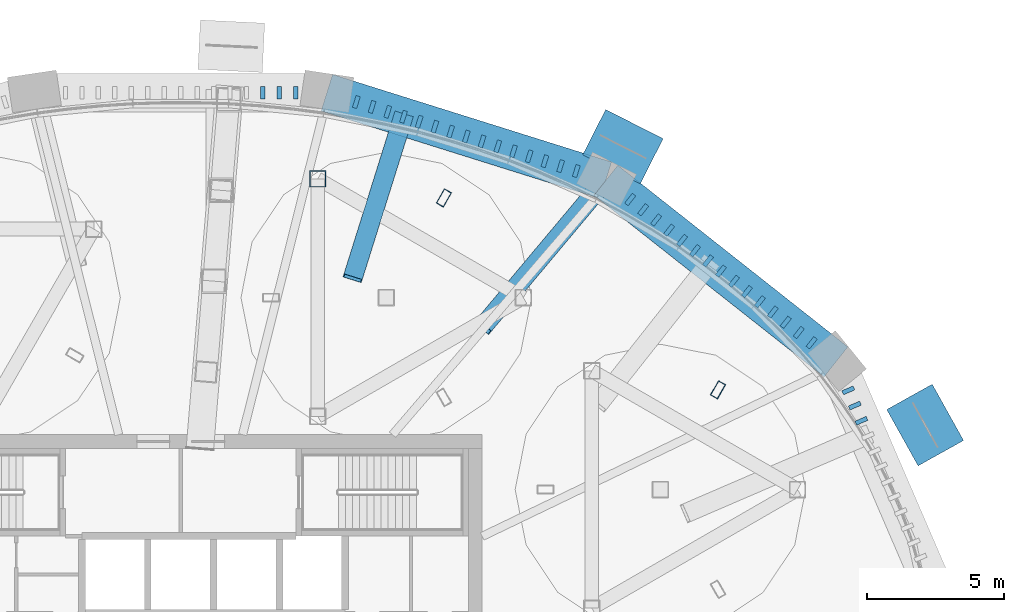
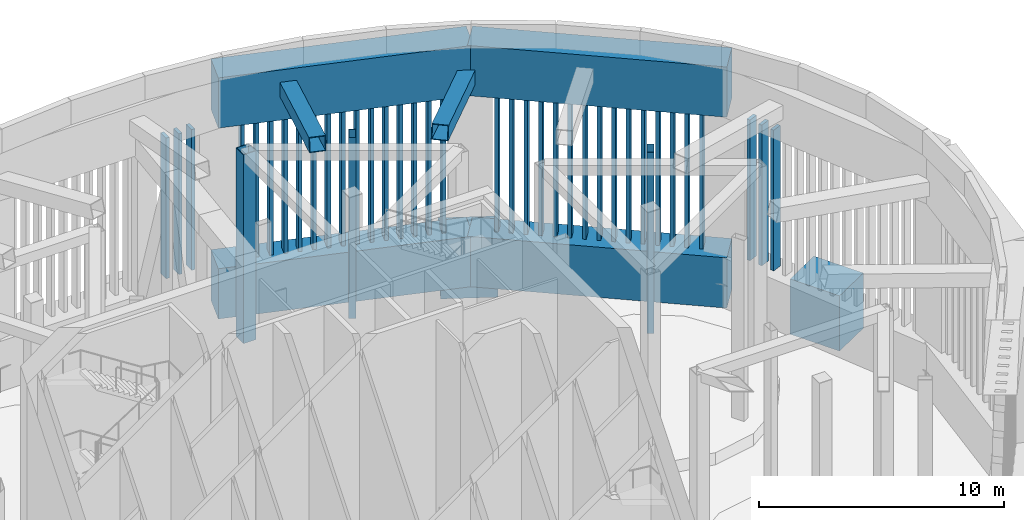
# One storey, part 5 of 14: 43 members, 4 beams.
"""IFC4 building model written with IfcOpenShell, lengths in metres."""

from ifc_helpers import new_model, si_unit, direction, frame, origin, origin_2d, place, context, subcontext, project, spatial, rectangle, hollow_rectangle, extrude, source, transform, mapped, material, material_profile, profile_set, type_object, element, save


model = new_model("IFC4")

# Units and contexts
model_context = context("Model", 3, precision=1e-05, world=origin(), true_north=direction((0.0, 1.0)))
body_context = subcontext(model_context, "Body", "Model", "MODEL_VIEW")
ifc_project = project(units=[si_unit("LENGTHUNIT", "METRE"), si_unit("AREAUNIT", "SQUARE_METRE"), si_unit("VOLUMEUNIT", "CUBIC_METRE"), si_unit("PLANEANGLEUNIT", "RADIAN"), si_unit("MASSUNIT", "GRAM", prefix="KILO")], contexts=[model_context])

# Site, building, storey
site_placement = place(None, origin())
site = spatial("IfcSite", under=ifc_project, at=site_placement, CompositionType="ELEMENT")
building_placement = place(site_placement, origin())
building = spatial("IfcBuilding", under=site, at=building_placement, Name="Embergate Tower", CompositionType="ELEMENT")
storey_placement = place(building_placement, frame((0.0, 0.0, 340.0)))
storey = spatial("IfcBuildingStorey", under=building, at=storey_placement, Name="L79", CompositionType="ELEMENT", Elevation=340.0)

# Members
ifc_material_1 = material(Name="Concrete C70", Category="concrete")
ifc_material_profile_1 = material_profile(ifc_material_1, rectangle(XDim=1.89990234375, YDim=2.35009765625, at=origin_2d()), Name="RC 1900x2350")
ifc_profile_set_1 = profile_set([ifc_material_profile_1], Name="Concrete C70")
member_type_1 = type_object("IfcMemberType", Name="Lattice node block RC 1900x2350", PredefinedType="POST", material=ifc_profile_set_1)
shared_shape_1 = source(origin(), body_context, "Body", "SweptSolid", [
    extrude(rectangle(XDim=1.89990234375, YDim=2.35009765625, at=origin_2d()), origin(), (0.0, 0.0, 1.0), 2.75),
])
member_1_placement = place(storey_placement, frame((27.156005859375, 9.35302734375, -1.375), z_axis=(0.0, 0.0, 1.0), x_axis=(0.873491969053, 0.486838556403, 0.0)))
element("IfcMember", 1, at=member_1_placement, inside=storey, type_object=member_type_1, Name="NOD-L79-02", PredefinedType="POST", context=body_context, shape_type="MappedRepresentation", body=[
    mapped(shared_shape_1, transform((0.0, 0.0, 0.0))),
])
ifc_material_profile_2 = material_profile(ifc_material_1, rectangle(XDim=1.85009765625, YDim=2.35009765625, at=origin_2d()), Name="RC 1850x2350")
ifc_profile_set_2 = profile_set([ifc_material_profile_2], Name="Concrete C70")
member_type_2 = type_object("IfcMemberType", Name="Lattice node block RC 1850x2350", PredefinedType="POST", material=ifc_profile_set_2)
shared_shape_2 = source(origin(), body_context, "Body", "SweptSolid", [
    extrude(rectangle(XDim=1.85009765625, YDim=2.35009765625, at=origin_2d()), origin(), (0.0, 0.0, 1.0), 2.75),
])
member_2_placement = place(storey_placement, frame((16.132080078125, 19.5048828125, -1.375), z_axis=(0.0, 0.0, 1.0), x_axis=(0.452994952881, 0.891513080478, 0.0)))
element("IfcMember", 2, at=member_2_placement, inside=storey, type_object=member_type_2, Name="NOD-L79-06", PredefinedType="POST", context=body_context, shape_type="MappedRepresentation", body=[
    mapped(shared_shape_2, transform((0.0, 0.0, 0.0))),
])
ifc_material_2 = material(Name="Steel Q355D", Category="steel")
ifc_material_profile_3 = material_profile(ifc_material_2, hollow_rectangle(XDim=0.699951171875, YDim=0.699951171875, WallThickness=0.031982421875, at=origin_2d()), Name="BOX 700x700x32")
ifc_profile_set_3 = profile_set([ifc_material_profile_3], Name="Steel Q355 grade D")
member_type_3 = type_object("IfcMemberType", Name="Glass point bearing strut BOX 700x700x32", PredefinedType="STRUT", material=ifc_profile_set_3)
shared_shape_3 = source(origin(), body_context, "Body", "SweptSolid", [
    extrude(hollow_rectangle(XDim=0.699951171875, YDim=0.699951171875, WallThickness=0.031982421875, at=origin_2d()), origin(), (0.0, 0.0, 1.0), 7.243408203125),
])
member_3_placement = place(storey_placement, frame((15.531982421875, 18.323974609375, 10.25), z_axis=(-0.62331550525, -0.743711492096, 0.241600905295), x_axis=(0.766416029121, -0.642344510607, 0.0)))
element("IfcMember", 3, at=member_3_placement, inside=storey, type_object=member_type_3, Name="CRN-L79-BS03", PredefinedType="STRUT", context=body_context, shape_type="MappedRepresentation", body=[
    mapped(shared_shape_3, transform((0.0, 0.0, 0.0))),
])
shared_shape_4 = source(origin(), body_context, "Body", "SweptSolid", [
    extrude(hollow_rectangle(XDim=0.699951171875, YDim=0.699951171875, WallThickness=0.031982421875, at=origin_2d()), origin(), (0.0, 0.0, 1.0), 6.31982421875),
])
member_4_placement = place(storey_placement, frame((8.135009765625, 20.64501953125, 10.89990234375), z_axis=(-0.294790157652, -0.939573609542, 0.174069512565), x_axis=(0.954140116181, -0.29936038264, 0.0)))
element("IfcMember", 4, at=member_4_placement, inside=storey, type_object=member_type_3, Name="CRN-L79-BS04", PredefinedType="STRUT", context=body_context, shape_type="MappedRepresentation", body=[
    mapped(shared_shape_4, transform((0.0, 0.0, 0.0))),
])
ifc_material_profile_4 = material_profile(ifc_material_2, hollow_rectangle(XDim=0.60009765625, YDim=0.60009765625, WallThickness=0.028076171875, at=origin_2d()), Name="BOX 600x600x28")
ifc_profile_set_4 = profile_set([ifc_material_profile_4], Name="Steel Q355 grade D")
member_type_4 = type_object("IfcMemberType", Name="Turbine frame post BOX 600x600x28", PredefinedType="POST", material=ifc_profile_set_4)
shared_shape_5 = source(origin(), body_context, "Body", "SweptSolid", [
    extrude(hollow_rectangle(XDim=0.60009765625, YDim=0.60009765625, WallThickness=0.028076171875, at=origin_2d()), origin(), (0.0, 0.0, 1.0), 9.39990234375),
])
member_5_placement = place(storey_placement, frame((5.0, 18.330078125, 0.60009765625), z_axis=(0.0, 0.0, 1.0), x_axis=(1.0, 0.0, 0.0)))
element("IfcMember", 5, at=member_5_placement, inside=storey, type_object=member_type_4, Name="TUR-L79-PS053", PredefinedType="POST", context=body_context, shape_type="MappedRepresentation", body=[
    mapped(shared_shape_5, transform((0.0, 0.0, 0.0))),
])
ifc_material_profile_5 = material_profile(ifc_material_2, hollow_rectangle(XDim=0.300048828125, YDim=0.60009765625, WallThickness=0.01611328125, at=origin_2d()), Name="BOX 600x300x16")
ifc_profile_set_5 = profile_set([ifc_material_profile_5], Name="Steel Q355 grade D")
member_type_5 = type_object("IfcMemberType", Name="Turbine rotor blade BOX 600x300x16", PredefinedType="POST", material=ifc_profile_set_5)
shared_shape_6 = source(origin(), body_context, "Body", "SweptSolid", [
    extrude(hollow_rectangle(XDim=0.300048828125, YDim=0.60009765625, WallThickness=0.01611328125, at=origin_2d()), origin(), (0.0, 0.0, 1.0), 9.0),
])
for number, where, z_axis, x_axis, name in (
    (6, (19.60009765625, 10.636962890625, 0.60009765625), (0.0, 0.0, 1.0), (-0.866025403784, 0.5, 0.0), "TUR-L79-BL011"),
    (7, (9.60009765625, 17.636962890625, 0.60009765625), (0.0, 0.0, 1.0), (-0.866025403784, 0.5, 0.0), "TUR-L79-BL053"),
):
    element("IfcMember", number, at=place(storey_placement, frame(where, z_axis=z_axis, x_axis=x_axis)), inside=storey, type_object=member_type_5, Name=name, PredefinedType="POST", context=body_context, shape_type="MappedRepresentation", body=[
        mapped(shared_shape_6, transform((0.0, 0.0, 0.0))),
    ])

# Beams
ifc_material_3 = material(Name="Concrete C50", Category="concrete")
ifc_material_profile_6 = material_profile(ifc_material_3, rectangle(XDim=1.39990234375, YDim=2.5, at=origin_2d()), Name="RC 1400x2500")
ifc_profile_set_6 = profile_set([ifc_material_profile_6], Name="Concrete C50")
beam_type = type_object("IfcBeamType", Name="Slot ring beam RC 1400x2500", PredefinedType="BEAM", material=ifc_profile_set_6)
shared_shape_7 = source(origin(), body_context, "Body", "SweptSolid", [
    extrude(rectangle(XDim=1.39990234375, YDim=2.5, at=origin_2d()), origin(), (0.0, 0.0, 1.0), 10.693603515625),
])
for number, where, z_axis, x_axis, name in (
    (8, (23.905029296875, 11.655029296875, 1.25), (-0.785047537714, 0.619435520074, 0.0), (-0.619435520074, -0.785047537714, 0.0), "RNG-L79-LO03"),
    (9, (23.905029296875, 11.655029296875, 10.75), (-0.785047537714, 0.619435520074, 0.0), (-0.619435520074, -0.785047537714, 0.0), "RNG-L79-UP03"),
):
    element("IfcBeam", number, at=place(storey_placement, frame(where, z_axis=z_axis, x_axis=x_axis)), inside=storey, type_object=beam_type, Name=name, PredefinedType="BEAM", context=body_context, shape_type="MappedRepresentation", body=[
        mapped(shared_shape_7, transform((0.0, 0.0, 0.0))),
    ])
shared_shape_8 = source(origin(), body_context, "Body", "SweptSolid", [
    extrude(rectangle(XDim=1.39990234375, YDim=2.5, at=origin_2d()), origin(), (0.0, 0.0, 1.0), 10.669677734375),
])
for number, where, z_axis, x_axis, name in (
    (10, (15.510009765625, 18.279052734375, 1.25), (-0.954109959019, 0.299456484488, 0.0), (-0.299456484488, -0.954109959019, 0.0), "RNG-L79-LO06"),
    (11, (15.510009765625, 18.279052734375, 10.75), (-0.954109959019, 0.299456484488, 0.0), (-0.299456484488, -0.954109959019, 0.0), "RNG-L79-UP06"),
):
    element("IfcBeam", number, at=place(storey_placement, frame(where, z_axis=z_axis, x_axis=x_axis)), inside=storey, type_object=beam_type, Name=name, PredefinedType="BEAM", context=body_context, shape_type="MappedRepresentation", body=[
        mapped(shared_shape_8, transform((0.0, 0.0, 0.0))),
    ])

# Members
ifc_material_4 = material(Name="Terracotta, extruded and glazed", Category="masonry")
ifc_material_profile_7 = material_profile(ifc_material_4, rectangle(XDim=0.449951171875, YDim=0.159912109375, at=origin_2d()), Name="TC 450x160")
ifc_profile_set_7 = profile_set([ifc_material_profile_7], Name="Terracotta, extruded and glazed")
member_type_6 = type_object("IfcMemberType", Name="Terracotta slot fin", PredefinedType="USERDEFINED", material=ifc_profile_set_7)
shared_shape_9 = source(origin(), body_context, "Body", "SweptSolid", [
    extrude(rectangle(XDim=0.449951171875, YDim=0.159912109375, at=origin_2d()), origin(), (0.0, 0.0, 1.0), 7.00390625),
])
for number, where, z_axis, x_axis, name in (
    (12, (24.830810546875, 9.508056640625, 2.498046875), (0.0, 0.0, 1.0), (-0.918249515944, -0.396002306141, 0.0), "Slot fin 1.13"),
    (13, (24.591796875, 10.062744140625, 2.498046875), (0.0, 0.0, 1.0), (-0.918249515944, -0.396002306141, 0.0), "Slot fin 1.14"),
    (14, (24.3525390625, 10.617431640625, 2.498046875), (0.0, 0.0, 1.0), (-0.918249515944, -0.396002306141, 0.0), "Slot fin 1.15"),
    (15, (23.017822265625, 12.35498046875, 2.498046875), (0.0, 0.0, 1.0), (-0.619435179353, -0.785047806557, 0.0), "Slot fin 4.1"),
    (16, (22.544921875, 12.72802734375, 2.498046875), (0.0, 0.0, 1.0), (-0.619435179353, -0.785047806557, 0.0), "Slot fin 4.2"),
    (17, (22.072021484375, 13.101318359375, 2.498046875), (0.0, 0.0, 1.0), (-0.619435179353, -0.785047806557, 0.0), "Slot fin 4.3"),
    (18, (21.59912109375, 13.474365234375, 2.498046875), (0.0, 0.0, 1.0), (-0.619435179353, -0.785047806557, 0.0), "Slot fin 4.4"),
    (19, (21.126220703125, 13.84765625, 2.498046875), (0.0, 0.0, 1.0), (-0.619435179353, -0.785047806557, 0.0), "Slot fin 4.5"),
    (20, (20.6533203125, 14.220703125, 2.498046875), (0.0, 0.0, 1.0), (-0.619435179353, -0.785047806557, 0.0), "Slot fin 4.6"),
    (21, (20.180419921875, 14.593994140625, 2.498046875), (0.0, 0.0, 1.0), (-0.619435179353, -0.785047806557, 0.0), "Slot fin 4.7"),
    (22, (19.70751953125, 14.967041015625, 2.498046875), (0.0, 0.0, 1.0), (-0.619435179353, -0.785047806557, 0.0), "Slot fin 4.8"),
    (23, (19.234619140625, 15.340087890625, 2.498046875), (0.0, 0.0, 1.0), (-0.619435179353, -0.785047806557, 0.0), "Slot fin 4.9"),
    (24, (18.76171875, 15.71337890625, 2.498046875), (0.0, 0.0, 1.0), (-0.619435179353, -0.785047806557, 0.0), "Slot fin 4.10"),
    (25, (18.288818359375, 16.08642578125, 2.498046875), (0.0, 0.0, 1.0), (-0.619435179353, -0.785047806557, 0.0), "Slot fin 4.11"),
    (26, (17.81591796875, 16.459716796875, 2.498046875), (0.0, 0.0, 1.0), (-0.619435179353, -0.785047806557, 0.0), "Slot fin 4.12"),
    (27, (17.343017578125, 16.832763671875, 2.498046875), (0.0, 0.0, 1.0), (-0.619435179353, -0.785047806557, 0.0), "Slot fin 4.13"),
    (28, (16.8701171875, 17.205810546875, 2.498046875), (0.0, 0.0, 1.0), (-0.619435179353, -0.785047806557, 0.0), "Slot fin 4.14"),
    (29, (16.397216796875, 17.5791015625, 2.498046875), (0.0, 0.0, 1.0), (-0.619435179353, -0.785047806557, 0.0), "Slot fin 4.15"),
    (30, (14.431884765625, 18.617431640625, 2.498046875), (0.0, 0.0, 1.0), (-0.299448803476, -0.954112369743, 0.0), "Slot fin 7.1"),
    (31, (13.858642578125, 18.79736328125, 2.498046875), (0.0, 0.0, 1.0), (-0.299448803476, -0.954112369743, 0.0), "Slot fin 7.2"),
    (32, (13.28564453125, 18.97705078125, 2.498046875), (0.0, 0.0, 1.0), (-0.299448803476, -0.954112369743, 0.0), "Slot fin 7.3"),
    (33, (12.71240234375, 19.156982421875, 2.498046875), (0.0, 0.0, 1.0), (-0.299448803476, -0.954112369743, 0.0), "Slot fin 7.4"),
    (34, (12.139404296875, 19.3369140625, 2.498046875), (0.0, 0.0, 1.0), (-0.299448803476, -0.954112369743, 0.0), "Slot fin 7.5"),
    (35, (11.566162109375, 19.516845703125, 2.498046875), (0.0, 0.0, 1.0), (-0.299448803476, -0.954112369743, 0.0), "Slot fin 7.6"),
    (36, (10.9931640625, 19.696533203125, 2.498046875), (0.0, 0.0, 1.0), (-0.299448803476, -0.954112369743, 0.0), "Slot fin 7.7"),
    (37, (10.419921875, 19.87646484375, 2.498046875), (0.0, 0.0, 1.0), (-0.299448803476, -0.954112369743, 0.0), "Slot fin 7.8"),
    (38, (9.846923828125, 20.056396484375, 2.498046875), (0.0, 0.0, 1.0), (-0.299448803476, -0.954112369743, 0.0), "Slot fin 7.9"),
    (39, (9.273681640625, 20.236083984375, 2.498046875), (0.0, 0.0, 1.0), (-0.299448803476, -0.954112369743, 0.0), "Slot fin 7.10"),
    (40, (8.70068359375, 20.416015625, 2.498046875), (0.0, 0.0, 1.0), (-0.299448803476, -0.954112369743, 0.0), "Slot fin 7.11"),
    (41, (8.12744140625, 20.595947265625, 2.498046875), (0.0, 0.0, 1.0), (-0.299448803476, -0.954112369743, 0.0), "Slot fin 7.12"),
    (42, (7.554443359375, 20.77587890625, 2.498046875), (0.0, 0.0, 1.0), (-0.299448803476, -0.954112369743, 0.0), "Slot fin 7.13"),
    (43, (6.981201171875, 20.955810546875, 2.498046875), (0.0, 0.0, 1.0), (-0.299448803476, -0.954112369743, 0.0), "Slot fin 7.14"),
    (44, (6.408203125, 21.135498046875, 2.498046875), (0.0, 0.0, 1.0), (-0.299448803476, -0.954112369743, 0.0), "Slot fin 7.15"),
    (45, (4.199951171875, 21.47412109375, 2.498046875), (0.0, 0.0, 1.0), (0.0, -1.0, 0.0), "Slot fin 10.1"),
    (46, (3.60009765625, 21.47412109375, 2.498046875), (0.0, 0.0, 1.0), (0.0, -1.0, 0.0), "Slot fin 10.2"),
    (47, (3.0, 21.47412109375, 2.498046875), (0.0, 0.0, 1.0), (0.0, -1.0, 0.0), "Slot fin 10.3"),
):
    element("IfcMember", number, at=place(storey_placement, frame(where, z_axis=z_axis, x_axis=x_axis)), inside=storey, type_object=member_type_6, Name=name, ObjectType="FIN", PredefinedType="USERDEFINED", context=body_context, shape_type="MappedRepresentation", body=[
        mapped(shared_shape_9, transform((0.0, 0.0, 0.0))),
    ])

save(model, "model.ifc")
